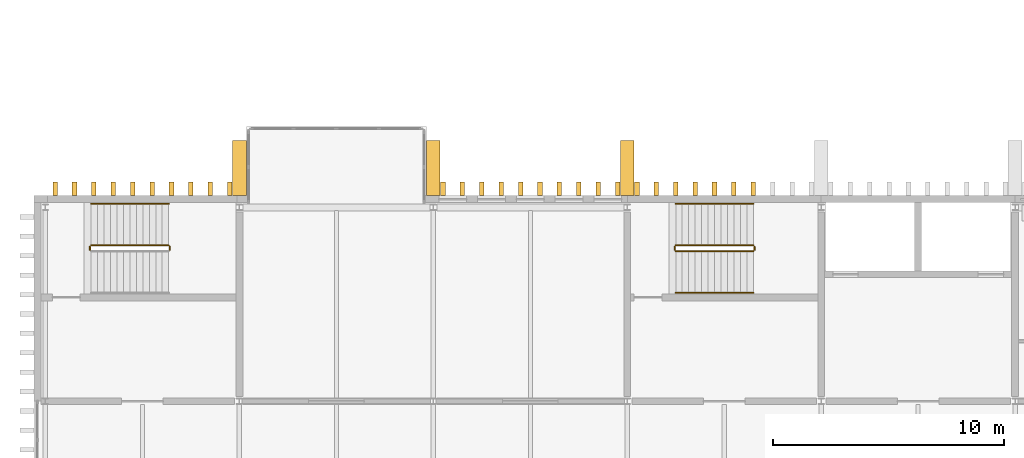
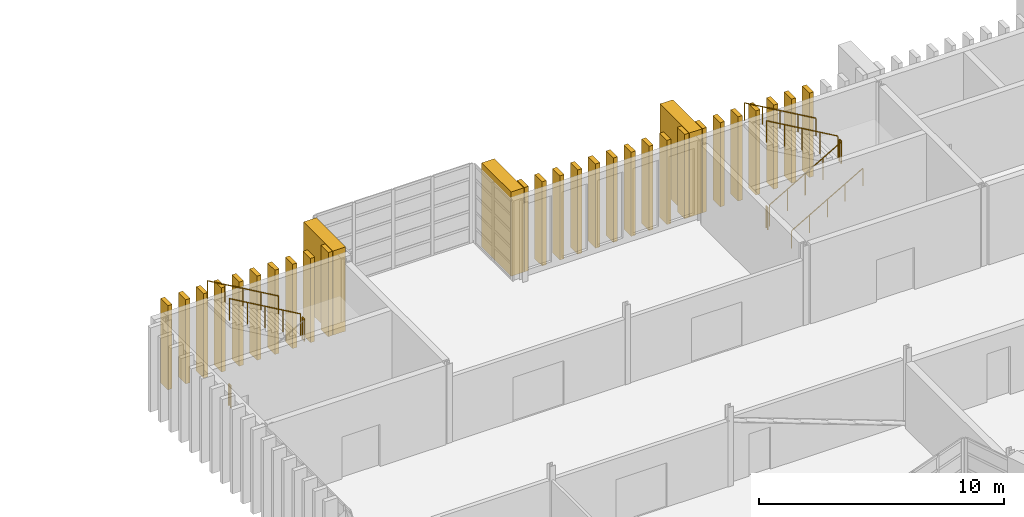
# One storey, part 76 of 88: 30 coverings, 10 railings.
"""IFC4 building model written with IfcOpenShell, lengths in metres."""

from ifc_helpers import new_model, si_unit, direction, frame, origin, origin_2d, place, context, subcontext, project, spatial, rectangle, circle, extrude, material, type_object, element, save


model = new_model("IFC4")

# Units and contexts
model_context = context("Model", 3, precision=1e-05, world=origin(), true_north=direction((0.0, 1.0)))
body_context = subcontext(model_context, "Body", "Model", "MODEL_VIEW")
ifc_project = project(units=[si_unit("LENGTHUNIT", "METRE"), si_unit("AREAUNIT", "SQUARE_METRE"), si_unit("VOLUMEUNIT", "CUBIC_METRE"), si_unit("PLANEANGLEUNIT", "RADIAN"), si_unit("MASSUNIT", "GRAM", prefix="KILO")], contexts=[model_context])

# Site, building, storey
site_placement = place(None, origin())
site = spatial("IfcSite", under=ifc_project, at=site_placement, CompositionType="ELEMENT")
building_placement = place(site_placement, origin())
building = spatial("IfcBuilding", under=site, at=building_placement, Name="Cresset Court Congress Hotel", CompositionType="ELEMENT")
storey_placement = place(building_placement, frame((0.0, 0.0, 14.39990234375)))
storey = spatial("IfcBuildingStorey", under=building, at=storey_placement, Name="L03", CompositionType="ELEMENT", Elevation=14.39990234375)

# Railings
ifc_material_1 = material(Name="Steel and laminated glass", Category="steel")
railing_type_1 = type_object("IfcRailingType", Name="Guard 1100 steel and glass", PredefinedType="GUARDRAIL", material=ifc_material_1)
railing_1_placement = place(storey_placement, frame((13.7900390625, 23.35009765625, 2.10009765625)))
element("IfcRailing", 1, at=railing_1_placement, inside=storey, type_object=railing_type_1, Name="L03 ST-B1 stair guard 2", PredefinedType="GUARDRAIL", context=body_context, shape_type="SweptSolid", body=[
    extrude(circle(Radius=0.02392578125, at=origin_2d()), frame((0.0, 0.0, 1.076171875), z_axis=(0.0, 1.0, 0.0), x_axis=(-1.0, 0.0, 0.0)), (0.0, 0.0, 1.0), 0.14990234375),
    extrude(circle(Radius=0.02099609375, at=origin_2d()), origin(), (0.0, 0.0, 1.0), 1.052001953125),
    extrude(circle(Radius=0.02099609375, at=origin_2d()), frame((0.0, 0.14990234375, 0.0)), (0.0, 0.0, 1.0), 1.052001953125),
])
railing_2_placement = place(storey_placement, frame((13.739990234375, 23.550048828125, 2.26171875)))
element("IfcRailing", 2, at=railing_2_placement, inside=storey, type_object=railing_type_1, Name="L03 ST-B1 stair guard 3", PredefinedType="GUARDRAIL", context=body_context, shape_type="SweptSolid", body=[
    extrude(circle(Radius=0.02392578125, at=origin_2d()), frame((0.0, 0.0, 1.076171875), z_axis=(-0.866190824863, 0.0, 0.499713372768), x_axis=(0.0, -1.0, 0.0)), (0.0, 0.0, 1.0), 3.879150390625),
    extrude(circle(Radius=0.02099609375, at=origin_2d()), origin(), (0.0, 0.0, 1.0), 1.052001953125),
    extrude(circle(Radius=0.02099609375, at=origin_2d()), frame((-0.840087890625, 0.0, 0.484619140625)), (0.0, 0.0, 1.0), 1.052001953125),
    extrude(circle(Radius=0.02099609375, at=origin_2d()), frame((-1.68017578125, 0.0, 0.96923828125)), (0.0, 0.0, 1.0), 1.052001953125),
    extrude(circle(Radius=0.02099609375, at=origin_2d()), frame((-2.52001953125, 0.0, 1.453857421875)), (0.0, 0.0, 1.0), 1.052001953125),
    extrude(circle(Radius=0.02099609375, at=origin_2d()), frame((-3.360107421875, 0.0, 1.9384765625)), (0.0, 0.0, 1.0), 1.052001953125),
])
railing_3_placement = place(storey_placement, frame((10.330078125, 23.35009765625, 0.0)))
element("IfcRailing", 3, at=railing_3_placement, inside=storey, type_object=railing_type_1, Name="L03 ST-B1 stair guard 4", PredefinedType="GUARDRAIL", context=body_context, shape_type="SweptSolid", body=[
    extrude(circle(Radius=0.02392578125, at=origin_2d()), frame((0.0, 0.0, 1.076171875), z_axis=(0.0, 1.0, 0.0), x_axis=(-1.0, 0.0, 0.0)), (0.0, 0.0, 1.0), 0.14990234375),
    extrude(circle(Radius=0.02099609375, at=origin_2d()), origin(), (0.0, 0.0, 1.0), 1.052001953125),
    extrude(circle(Radius=0.02099609375, at=origin_2d()), frame((0.0, 0.14990234375, 0.0)), (0.0, 0.0, 1.0), 1.052001953125),
])
railing_4_placement = place(storey_placement, frame((35.699951171875, 23.300048828125, 0.16162109375)))
element("IfcRailing", 4, at=railing_4_placement, inside=storey, type_object=railing_type_1, Name="L03 ST-B2 stair guard 1", PredefinedType="GUARDRAIL", context=body_context, shape_type="SweptSolid", body=[
    extrude(circle(Radius=0.02392578125, at=origin_2d()), frame((0.0, 0.0, 1.076171875), z_axis=(0.866190824863, 0.0, 0.499713372768), x_axis=(0.0, 1.0, 0.0)), (0.0, 0.0, 1.0), 3.879150390625),
    extrude(circle(Radius=0.02099609375, at=origin_2d()), origin(), (0.0, 0.0, 1.0), 1.052001953125),
    extrude(circle(Radius=0.02099609375, at=origin_2d()), frame((0.840087890625, 0.0, 0.484619140625)), (0.0, 0.0, 1.0), 1.052001953125),
    extrude(circle(Radius=0.02099609375, at=origin_2d()), frame((1.68017578125, 0.0, 0.96923828125)), (0.0, 0.0, 1.0), 1.052001953125),
    extrude(circle(Radius=0.02099609375, at=origin_2d()), frame((2.52001953125, 0.0, 1.453857421875)), (0.0, 0.0, 1.0), 1.052001953125),
    extrude(circle(Radius=0.02099609375, at=origin_2d()), frame((3.360107421875, 0.0, 1.9384765625)), (0.0, 0.0, 1.0), 1.052001953125),
])
railing_5_placement = place(storey_placement, frame((39.110107421875, 23.35009765625, 2.10009765625)))
element("IfcRailing", 5, at=railing_5_placement, inside=storey, type_object=railing_type_1, Name="L03 ST-B2 stair guard 2", PredefinedType="GUARDRAIL", context=body_context, shape_type="SweptSolid", body=[
    extrude(circle(Radius=0.02392578125, at=origin_2d()), frame((0.0, 0.0, 1.076171875), z_axis=(0.0, 1.0, 0.0), x_axis=(-1.0, 0.0, 0.0)), (0.0, 0.0, 1.0), 0.14990234375),
    extrude(circle(Radius=0.02099609375, at=origin_2d()), origin(), (0.0, 0.0, 1.0), 1.052001953125),
    extrude(circle(Radius=0.02099609375, at=origin_2d()), frame((0.0, 0.14990234375, 0.0)), (0.0, 0.0, 1.0), 1.052001953125),
])
railing_6_placement = place(storey_placement, frame((39.06005859375, 23.550048828125, 2.26171875)))
element("IfcRailing", 6, at=railing_6_placement, inside=storey, type_object=railing_type_1, Name="L03 ST-B2 stair guard 3", PredefinedType="GUARDRAIL", context=body_context, shape_type="SweptSolid", body=[
    extrude(circle(Radius=0.02392578125, at=origin_2d()), frame((0.0, 0.0, 1.076171875), z_axis=(-0.866190824863, 0.0, 0.499713372768), x_axis=(0.0, -1.0, 0.0)), (0.0, 0.0, 1.0), 3.879150390625),
    extrude(circle(Radius=0.02099609375, at=origin_2d()), origin(), (0.0, 0.0, 1.0), 1.052001953125),
    extrude(circle(Radius=0.02099609375, at=origin_2d()), frame((-0.840087890625, 0.0, 0.484619140625)), (0.0, 0.0, 1.0), 1.052001953125),
    extrude(circle(Radius=0.02099609375, at=origin_2d()), frame((-1.68017578125, 0.0, 0.96923828125)), (0.0, 0.0, 1.0), 1.052001953125),
    extrude(circle(Radius=0.02099609375, at=origin_2d()), frame((-2.52001953125, 0.0, 1.453857421875)), (0.0, 0.0, 1.0), 1.052001953125),
    extrude(circle(Radius=0.02099609375, at=origin_2d()), frame((-3.360107421875, 0.0, 1.9384765625)), (0.0, 0.0, 1.0), 1.052001953125),
])
railing_7_placement = place(storey_placement, frame((35.64990234375, 23.35009765625, 0.0)))
element("IfcRailing", 7, at=railing_7_placement, inside=storey, type_object=railing_type_1, Name="L03 ST-B2 stair guard 4", PredefinedType="GUARDRAIL", context=body_context, shape_type="SweptSolid", body=[
    extrude(circle(Radius=0.02392578125, at=origin_2d()), frame((0.0, 0.0, 1.076171875), z_axis=(0.0, 1.0, 0.0), x_axis=(-1.0, 0.0, 0.0)), (0.0, 0.0, 1.0), 0.14990234375),
    extrude(circle(Radius=0.02099609375, at=origin_2d()), origin(), (0.0, 0.0, 1.0), 1.052001953125),
    extrude(circle(Radius=0.02099609375, at=origin_2d()), frame((0.0, 0.14990234375, 0.0)), (0.0, 0.0, 1.0), 1.052001953125),
])
ifc_material_2 = material(Name="Stainless steel", Category="steel")
railing_type_2 = type_object("IfcRailingType", Name="Handrail 48 stainless", PredefinedType="HANDRAIL", material=ifc_material_2)
railing_8_placement = place(storey_placement, frame((13.739990234375, 25.35009765625, 2.26171875)))
element("IfcRailing", 8, at=railing_8_placement, inside=storey, type_object=railing_type_2, Name="L03 ST-B1 stair handrail 2", PredefinedType="HANDRAIL", context=body_context, shape_type="SweptSolid", body=[
    extrude(circle(Radius=0.02392578125, at=origin_2d()), frame((0.0, 0.0, 0.8759765625), z_axis=(-0.866190824863, 0.0, 0.499713372768), x_axis=(0.0, -1.0, 0.0)), (0.0, 0.0, 1.0), 3.879150390625),
    extrude(circle(Radius=0.02099609375, at=origin_2d()), origin(), (0.0, 0.0, 1.0), 0.851806640625),
    extrude(circle(Radius=0.02099609375, at=origin_2d()), frame((-0.840087890625, 0.0, 0.484619140625)), (0.0, 0.0, 1.0), 0.851806640625),
    extrude(circle(Radius=0.02099609375, at=origin_2d()), frame((-1.68017578125, 0.0, 0.96923828125)), (0.0, 0.0, 1.0), 0.851806640625),
    extrude(circle(Radius=0.02099609375, at=origin_2d()), frame((-2.52001953125, 0.0, 1.453857421875)), (0.0, 0.0, 1.0), 0.851806640625),
    extrude(circle(Radius=0.02099609375, at=origin_2d()), frame((-3.360107421875, 0.0, 1.9384765625)), (0.0, 0.0, 1.0), 0.851806640625),
])
railing_9_placement = place(storey_placement, frame((35.699951171875, 21.5, 0.16162109375)))
element("IfcRailing", 9, at=railing_9_placement, inside=storey, type_object=railing_type_2, Name="L03 ST-B2 stair handrail 1", PredefinedType="HANDRAIL", context=body_context, shape_type="SweptSolid", body=[
    extrude(circle(Radius=0.02392578125, at=origin_2d()), frame((0.0, 0.0, 0.8759765625), z_axis=(0.866190824863, 0.0, 0.499713372768), x_axis=(0.0, 1.0, 0.0)), (0.0, 0.0, 1.0), 3.879150390625),
    extrude(circle(Radius=0.02099609375, at=origin_2d()), origin(), (0.0, 0.0, 1.0), 0.851806640625),
    extrude(circle(Radius=0.02099609375, at=origin_2d()), frame((0.840087890625, 0.0, 0.484619140625)), (0.0, 0.0, 1.0), 0.851806640625),
    extrude(circle(Radius=0.02099609375, at=origin_2d()), frame((1.68017578125, 0.0, 0.96923828125)), (0.0, 0.0, 1.0), 0.851806640625),
    extrude(circle(Radius=0.02099609375, at=origin_2d()), frame((2.52001953125, 0.0, 1.453857421875)), (0.0, 0.0, 1.0), 0.851806640625),
    extrude(circle(Radius=0.02099609375, at=origin_2d()), frame((3.360107421875, 0.0, 1.9384765625)), (0.0, 0.0, 1.0), 0.851806640625),
])
railing_10_placement = place(storey_placement, frame((39.06005859375, 25.35009765625, 2.26171875)))
element("IfcRailing", 10, at=railing_10_placement, inside=storey, type_object=railing_type_2, Name="L03 ST-B2 stair handrail 2", PredefinedType="HANDRAIL", context=body_context, shape_type="SweptSolid", body=[
    extrude(circle(Radius=0.02392578125, at=origin_2d()), frame((0.0, 0.0, 0.8759765625), z_axis=(-0.866190824863, 0.0, 0.499713372768), x_axis=(0.0, -1.0, 0.0)), (0.0, 0.0, 1.0), 3.879150390625),
    extrude(circle(Radius=0.02099609375, at=origin_2d()), origin(), (0.0, 0.0, 1.0), 0.851806640625),
    extrude(circle(Radius=0.02099609375, at=origin_2d()), frame((-0.840087890625, 0.0, 0.484619140625)), (0.0, 0.0, 1.0), 0.851806640625),
    extrude(circle(Radius=0.02099609375, at=origin_2d()), frame((-1.68017578125, 0.0, 0.96923828125)), (0.0, 0.0, 1.0), 0.851806640625),
    extrude(circle(Radius=0.02099609375, at=origin_2d()), frame((-2.52001953125, 0.0, 1.453857421875)), (0.0, 0.0, 1.0), 0.851806640625),
    extrude(circle(Radius=0.02099609375, at=origin_2d()), frame((-3.360107421875, 0.0, 1.9384765625)), (0.0, 0.0, 1.0), 0.851806640625),
])

# Coverings
ifc_material_3 = material(Name="Precast concrete C50", Category="concrete")
covering_type_1 = type_object("IfcCoveringType", Name="Precast stone fin 200x600 variant 1", PredefinedType="CLADDING", material=ifc_material_3)
for number, where, z_axis, x_axis, name in (
    (11, (8.820068359375, 26.0, 0.0), (0.0, 0.0, 1.0), (1.0, 0.0, 0.0), "Fin N03-000"),
    (12, (9.659912109375, 26.0, 0.0), (0.0, 0.0, 1.0), (1.0, 0.0, 0.0), "Fin N03-001"),
    (13, (10.5, 26.0, 0.0), (0.0, 0.0, 1.0), (1.0, 0.0, 0.0), "Fin N03-002"),
    (14, (11.340087890625, 26.0, 0.0), (0.0, 0.0, 1.0), (1.0, 0.0, 0.0), "Fin N03-003"),
    (15, (12.179931640625, 26.0, 0.0), (0.0, 0.0, 1.0), (1.0, 0.0, 0.0), "Fin N03-004"),
    (16, (13.02001953125, 26.0, 0.0), (0.0, 0.0, 1.0), (1.0, 0.0, 0.0), "Fin N03-005"),
    (17, (13.860107421875, 26.0, 0.0), (0.0, 0.0, 1.0), (1.0, 0.0, 0.0), "Fin N03-006"),
    (18, (14.699951171875, 26.0, 0.0), (0.0, 0.0, 1.0), (1.0, 0.0, 0.0), "Fin N03-007"),
    (19, (15.5400390625, 26.0, 0.0), (0.0, 0.0, 1.0), (1.0, 0.0, 0.0), "Fin N03-008"),
    (20, (16.3798828125, 26.0, 0.0), (0.0, 0.0, 1.0), (1.0, 0.0, 0.0), "Fin N03-009"),
    (21, (25.6201171875, 26.0, 0.0), (0.0, 0.0, 1.0), (1.0, 0.0, 0.0), "Fin N03-020"),
    (22, (26.4599609375, 26.0, 0.0), (0.0, 0.0, 1.0), (1.0, 0.0, 0.0), "Fin N03-021"),
    (23, (27.300048828125, 26.0, 0.0), (0.0, 0.0, 1.0), (1.0, 0.0, 0.0), "Fin N03-022"),
    (24, (28.139892578125, 26.0, 0.0), (0.0, 0.0, 1.0), (1.0, 0.0, 0.0), "Fin N03-023"),
    (25, (28.97998046875, 26.0, 0.0), (0.0, 0.0, 1.0), (1.0, 0.0, 0.0), "Fin N03-024"),
    (26, (29.820068359375, 26.0, 0.0), (0.0, 0.0, 1.0), (1.0, 0.0, 0.0), "Fin N03-025"),
    (27, (30.659912109375, 26.0, 0.0), (0.0, 0.0, 1.0), (1.0, 0.0, 0.0), "Fin N03-026"),
    (28, (31.5, 26.0, 0.0), (0.0, 0.0, 1.0), (1.0, 0.0, 0.0), "Fin N03-027"),
    (29, (32.340087890625, 26.0, 0.0), (0.0, 0.0, 1.0), (1.0, 0.0, 0.0), "Fin N03-028"),
    (30, (33.179931640625, 26.0, 0.0), (0.0, 0.0, 1.0), (1.0, 0.0, 0.0), "Fin N03-029"),
    (31, (34.02001953125, 26.0, 0.0), (0.0, 0.0, 1.0), (1.0, 0.0, 0.0), "Fin N03-030"),
    (32, (34.860107421875, 26.0, 0.0), (0.0, 0.0, 1.0), (1.0, 0.0, 0.0), "Fin N03-031"),
    (33, (35.699951171875, 26.0, 0.0), (0.0, 0.0, 1.0), (1.0, 0.0, 0.0), "Fin N03-032"),
    (34, (36.5400390625, 26.0, 0.0), (0.0, 0.0, 1.0), (1.0, 0.0, 0.0), "Fin N03-033"),
    (35, (37.3798828125, 26.0, 0.0), (0.0, 0.0, 1.0), (1.0, 0.0, 0.0), "Fin N03-034"),
    (36, (38.219970703125, 26.0, 0.0), (0.0, 0.0, 1.0), (1.0, 0.0, 0.0), "Fin N03-035"),
    (37, (39.06005859375, 26.0, 0.0), (0.0, 0.0, 1.0), (1.0, 0.0, 0.0), "Fin N03-036"),
):
    element("IfcCovering", number, at=place(storey_placement, frame(where, z_axis=z_axis, x_axis=x_axis)), inside=storey, type_object=covering_type_1, Name=name, PredefinedType="CLADDING", context=body_context, shape_type="SweptSolid", body=[
        extrude(rectangle(XDim=0.199951171875, YDim=0.60009765625, at=origin_2d()), origin(), (0.0, 0.0, 1.0), 4.199951171875),
    ])
ifc_material_4 = material(Name="Precast concrete C50", Category="concrete")
covering_type_2 = type_object("IfcCoveringType", Name="Precast stone pier 600x2400", PredefinedType="CLADDING", material=ifc_material_4)
for number, where, z_axis, x_axis, name in (
    (38, (16.800048828125, 26.89990234375, 0.0), (0.0, 0.0, 1.0), (1.0, 0.0, 0.0), "Pier N03-01"),
    (39, (25.199951171875, 26.89990234375, 0.0), (0.0, 0.0, 1.0), (1.0, 0.0, 0.0), "Pier N03-02"),
    (40, (33.60009765625, 26.89990234375, 0.0), (0.0, 0.0, 1.0), (1.0, 0.0, 0.0), "Pier N03-03"),
):
    element("IfcCovering", number, at=place(storey_placement, frame(where, z_axis=z_axis, x_axis=x_axis)), inside=storey, type_object=covering_type_2, Name=name, PredefinedType="CLADDING", context=body_context, shape_type="SweptSolid", body=[
        extrude(rectangle(XDim=0.60009765625, YDim=2.39990234375, at=origin_2d()), origin(), (0.0, 0.0, 1.0), 4.199951171875),
    ])

save(model, "model.ifc")
